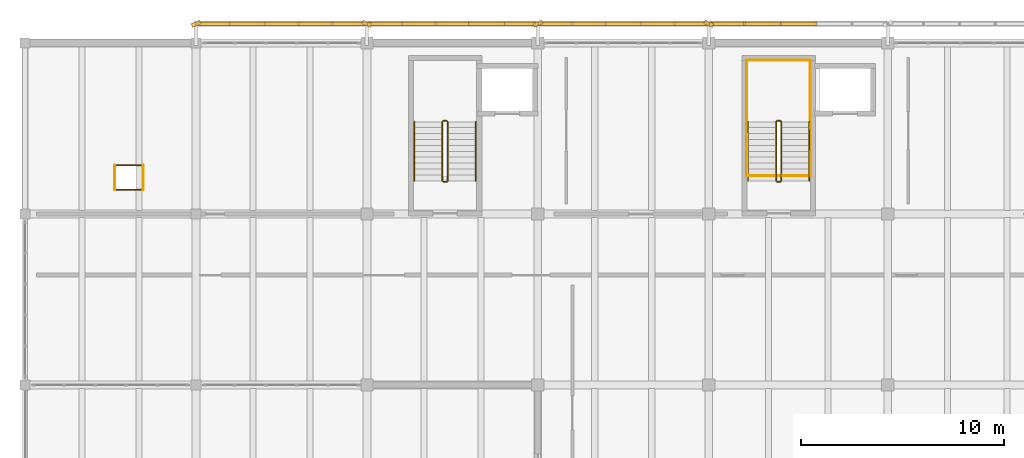
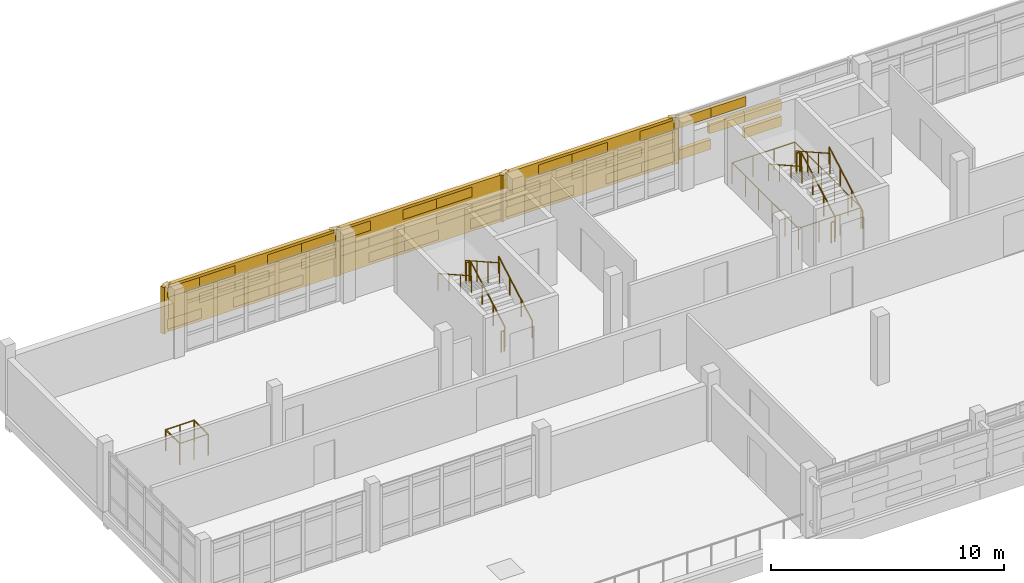
# One storey, part 48 of 50: 40 coverings, 20 railings, 3 shading devices.
"""IFC4 building model written with IfcOpenShell, lengths in metres."""

from ifc_helpers import new_model, si_unit, direction, frame, origin, origin_2d, place, context, subcontext, project, spatial, rectangle, circle, extrude, material, layer, layer_set, type_object, element, save


model = new_model("IFC4")

# Units and contexts
model_context = context("Model", 3, precision=1e-05, world=origin(), true_north=direction((0.0, 1.0)))
body_context = subcontext(model_context, "Body", "Model", "MODEL_VIEW")
ifc_project = project(units=[si_unit("LENGTHUNIT", "METRE"), si_unit("AREAUNIT", "SQUARE_METRE"), si_unit("VOLUMEUNIT", "CUBIC_METRE"), si_unit("PLANEANGLEUNIT", "RADIAN"), si_unit("MASSUNIT", "GRAM", prefix="KILO")], contexts=[model_context])

# Site, building, storey
site_placement = place(None, origin())
site = spatial("IfcSite", under=ifc_project, at=site_placement, CompositionType="ELEMENT")
building_placement = place(site_placement, origin())
building = spatial("IfcBuilding", under=site, at=building_placement, Name="Cinderway Yard Community Centre", CompositionType="ELEMENT")
storey_placement = place(building_placement, frame((0.0, 0.0, 12.89990234375)))
storey = spatial("IfcBuildingStorey", under=building, at=storey_placement, Name="L03", CompositionType="ELEMENT", Elevation=12.89990234375)

# Coverings
ifc_material_1 = material(Name="Brick Masonry", Category="masonry")
ifc_layer = layer(ifc_material_1, 0.18994140625, Name="Brick Masonry")
ifc_layer_set = layer_set([ifc_layer], Name="Brick Masonry")
covering_type = type_object("IfcCoveringType", Name="ENV-COV-BRK-SCREEN", PredefinedType="CLADDING", material=ifc_layer_set)
for number, where, z_axis, x_axis, name in (
    (1, (50.0, 116.14990234375, 0.64990234375), (0.0, 0.0, 1.0), (0.913545457643, 0.406736643076, 0.0), "Deconstructivist folded brick fin 0256"),
    (2, (58.39990234375, 116.14990234375, 0.64990234375), (0.0, 0.0, 1.0), (0.913545457643, -0.406736643076, 0.0), "Deconstructivist folded brick fin 0257"),
    (3, (66.800048828125, 116.14990234375, 0.64990234375), (0.0, 0.0, 1.0), (0.913545457643, 0.406736643076, 0.0), "Deconstructivist folded brick fin 0258"),
    (4, (75.199951171875, 116.14990234375, 0.64990234375), (0.0, 0.0, 1.0), (0.913545457643, -0.406736643076, 0.0), "Deconstructivist folded brick fin 0259"),
):
    element("IfcCovering", number, at=place(storey_placement, frame(where, z_axis=z_axis, x_axis=x_axis)), inside=storey, type_object=covering_type, Name=name, PredefinedType="CLADDING", context=body_context, shape_type="SweptSolid", body=[
        extrude(rectangle(XDim=0.4599609375, YDim=0.199951171875, at=origin_2d()), origin(), (0.0, 0.0, 1.0), 2.449951171875),
    ])
for number, where, z_axis, x_axis, name in (
    (5, (50.840087890625, 116.14990234375, 0.7900390625), (0.0, 0.0, 1.0), (1.0, 0.0, 0.0), "Open-bond perforated brick screen course 00266"),
    (6, (54.199951171875, 116.14990234375, 0.7900390625), (0.0, 0.0, 1.0), (1.0, 0.0, 0.0), "Open-bond perforated brick screen course 00267"),
    (7, (55.8798828125, 116.14990234375, 0.7900390625), (0.0, 0.0, 1.0), (1.0, 0.0, 0.0), "Open-bond perforated brick screen course 00268"),
    (8, (52.52001953125, 116.14990234375, 1.62109375), (0.0, 0.0, 1.0), (1.0, 0.0, 0.0), "Open-bond perforated brick screen course 00269"),
    (9, (54.199951171875, 116.14990234375, 1.62109375), (0.0, 0.0, 1.0), (1.0, 0.0, 0.0), "Open-bond perforated brick screen course 00270"),
    (10, (57.56005859375, 116.14990234375, 1.62109375), (0.0, 0.0, 1.0), (1.0, 0.0, 0.0), "Open-bond perforated brick screen course 00271"),
    (11, (50.840087890625, 116.14990234375, 2.4521484375), (0.0, 0.0, 1.0), (1.0, 0.0, 0.0), "Open-bond perforated brick screen course 00272"),
    (12, (52.52001953125, 116.14990234375, 2.4521484375), (0.0, 0.0, 1.0), (1.0, 0.0, 0.0), "Open-bond perforated brick screen course 00273"),
    (13, (55.8798828125, 116.14990234375, 2.4521484375), (0.0, 0.0, 1.0), (1.0, 0.0, 0.0), "Open-bond perforated brick screen course 00274"),
    (14, (57.56005859375, 116.14990234375, 2.4521484375), (0.0, 0.0, 1.0), (1.0, 0.0, 0.0), "Open-bond perforated brick screen course 00275"),
    (15, (60.919921875, 116.14990234375, 0.7900390625), (0.0, 0.0, 1.0), (1.0, 0.0, 0.0), "Open-bond perforated brick screen course 00276"),
    (16, (62.60009765625, 116.14990234375, 0.7900390625), (0.0, 0.0, 1.0), (1.0, 0.0, 0.0), "Open-bond perforated brick screen course 00277"),
    (17, (65.9599609375, 116.14990234375, 0.7900390625), (0.0, 0.0, 1.0), (1.0, 0.0, 0.0), "Open-bond perforated brick screen course 00278"),
    (18, (59.239990234375, 116.14990234375, 1.62109375), (0.0, 0.0, 1.0), (1.0, 0.0, 0.0), "Open-bond perforated brick screen course 00279"),
    (19, (60.919921875, 116.14990234375, 1.62109375), (0.0, 0.0, 1.0), (1.0, 0.0, 0.0), "Open-bond perforated brick screen course 00280"),
    (20, (64.280029296875, 116.14990234375, 1.62109375), (0.0, 0.0, 1.0), (1.0, 0.0, 0.0), "Open-bond perforated brick screen course 00281"),
    (21, (65.9599609375, 116.14990234375, 1.62109375), (0.0, 0.0, 1.0), (1.0, 0.0, 0.0), "Open-bond perforated brick screen course 00282"),
    (22, (59.239990234375, 116.14990234375, 2.4521484375), (0.0, 0.0, 1.0), (1.0, 0.0, 0.0), "Open-bond perforated brick screen course 00283"),
    (23, (62.60009765625, 116.14990234375, 2.4521484375), (0.0, 0.0, 1.0), (1.0, 0.0, 0.0), "Open-bond perforated brick screen course 00284"),
    (24, (64.280029296875, 116.14990234375, 2.4521484375), (0.0, 0.0, 1.0), (1.0, 0.0, 0.0), "Open-bond perforated brick screen course 00285"),
    (25, (67.639892578125, 116.14990234375, 0.7900390625), (0.0, 0.0, 1.0), (1.0, 0.0, 0.0), "Open-bond perforated brick screen course 00286"),
    (26, (69.320068359375, 116.14990234375, 0.7900390625), (0.0, 0.0, 1.0), (1.0, 0.0, 0.0), "Open-bond perforated brick screen course 00287"),
    (27, (72.679931640625, 116.14990234375, 0.7900390625), (0.0, 0.0, 1.0), (1.0, 0.0, 0.0), "Open-bond perforated brick screen course 00288"),
    (28, (74.360107421875, 116.14990234375, 0.7900390625), (0.0, 0.0, 1.0), (1.0, 0.0, 0.0), "Open-bond perforated brick screen course 00289"),
    (29, (67.639892578125, 116.14990234375, 1.62109375), (0.0, 0.0, 1.0), (1.0, 0.0, 0.0), "Open-bond perforated brick screen course 00290"),
    (30, (71.0, 116.14990234375, 1.62109375), (0.0, 0.0, 1.0), (1.0, 0.0, 0.0), "Open-bond perforated brick screen course 00291"),
    (31, (72.679931640625, 116.14990234375, 1.62109375), (0.0, 0.0, 1.0), (1.0, 0.0, 0.0), "Open-bond perforated brick screen course 00292"),
    (32, (69.320068359375, 116.14990234375, 2.4521484375), (0.0, 0.0, 1.0), (1.0, 0.0, 0.0), "Open-bond perforated brick screen course 00293"),
    (33, (71.0, 116.14990234375, 2.4521484375), (0.0, 0.0, 1.0), (1.0, 0.0, 0.0), "Open-bond perforated brick screen course 00294"),
    (34, (74.360107421875, 116.14990234375, 2.4521484375), (0.0, 0.0, 1.0), (1.0, 0.0, 0.0), "Open-bond perforated brick screen course 00295"),
):
    element("IfcCovering", number, at=place(storey_placement, frame(where, z_axis=z_axis, x_axis=x_axis)), inside=storey, type_object=covering_type, Name=name, PredefinedType="CLADDING", context=body_context, shape_type="SweptSolid", body=[
        extrude(rectangle(XDim=1.760009765625, YDim=0.18994140625, at=origin_2d()), origin(), (0.0, 0.0, 1.0), 0.508056640625),
    ])
for number, where, z_axis, x_axis, name in (
    (35, (76.080078125, 116.14990234375, 0.7900390625), (0.0, 0.0, 1.0), (1.0, 0.0, 0.0), "Open-bond perforated brick screen course 00296"),
    (36, (79.60009765625, 116.14990234375, 0.7900390625), (0.0, 0.0, 1.0), (1.0, 0.0, 0.0), "Open-bond perforated brick screen course 00297"),
    (37, (77.840087890625, 116.14990234375, 1.62109375), (0.0, 0.0, 1.0), (1.0, 0.0, 0.0), "Open-bond perforated brick screen course 00299"),
    (38, (79.60009765625, 116.14990234375, 1.62109375), (0.0, 0.0, 1.0), (1.0, 0.0, 0.0), "Open-bond perforated brick screen course 00300"),
    (39, (76.080078125, 116.14990234375, 2.4521484375), (0.0, 0.0, 1.0), (1.0, 0.0, 0.0), "Open-bond perforated brick screen course 00302"),
    (40, (77.840087890625, 116.14990234375, 2.4521484375), (0.0, 0.0, 1.0), (1.0, 0.0, 0.0), "Open-bond perforated brick screen course 00303"),
):
    element("IfcCovering", number, at=place(storey_placement, frame(where, z_axis=z_axis, x_axis=x_axis)), inside=storey, type_object=covering_type, Name=name, PredefinedType="CLADDING", context=body_context, shape_type="SweptSolid", body=[
        extrude(rectangle(XDim=1.840087890625, YDim=0.18994140625, at=origin_2d()), origin(), (0.0, 0.0, 1.0), 0.508056640625),
    ])

# Shading devices
shading_device_type = type_object("IfcShadingDeviceType", Name="ENV-SHD-BRICKSCREEN-A", PredefinedType="USERDEFINED", material=ifc_material_1)
for number, where, z_axis, x_axis, name in (
    (41, (54.199951171875, 116.14990234375, 0.64990234375), (0.0, 0.0, 1.0), (1.0, 0.0, 0.0), "Street Perforated Brick Screen 0195"),
    (42, (62.60009765625, 116.14990234375, 0.64990234375), (0.0, 0.0, 1.0), (1.0, 0.0, 0.0), "Street Perforated Brick Screen 0203"),
    (43, (71.0, 116.14990234375, 0.64990234375), (0.0, 0.0, 1.0), (1.0, 0.0, 0.0), "Street Perforated Brick Screen 0211"),
):
    element("IfcShadingDevice", number, at=place(storey_placement, frame(where, z_axis=z_axis, x_axis=x_axis)), inside=storey, type_object=shading_device_type, Name=name, ObjectType="PERFORATED BRICK SCREEN", PredefinedType="USERDEFINED", context=body_context, shape_type="SweptSolid", body=[
        extrude(rectangle(XDim=8.199951171875, YDim=0.18994140625, at=origin_2d()), origin(), (0.0, 0.0, 1.0), 2.449951171875),
    ])

# Railings
ifc_material_2 = material(Name="Painted Galvanised Steel", Category="steel")
railing_type_1 = type_object("IfcRailingType", Name="INT-RAL-GRD112", PredefinedType="GUARDRAIL", material=ifc_material_2)
railing_1_placement = place(storey_placement, frame((62.3701171875, 108.429931640625, 0.163818359375)))
element("IfcRailing", 44, at=railing_1_placement, inside=storey, type_object=railing_type_1, Name="L03 ST-01 stair guard 1", PredefinedType="GUARDRAIL", context=body_context, shape_type="SweptSolid", body=[
    extrude(circle(Radius=0.02392578125, at=origin_2d()), frame((0.0, 0.0, 1.076171875), z_axis=(0.0, 0.870946286338, 0.49137823142), x_axis=(-1.0, 0.0, 0.0)), (0.0, 0.0, 1.0), 3.329833984375),
    extrude(circle(Radius=0.02099609375, at=origin_2d()), origin(), (0.0, 0.0, 1.0), 1.052001953125),
    extrude(circle(Radius=0.02099609375, at=origin_2d()), frame((0.0, 0.966796875, 0.54541015625)), (0.0, 0.0, 1.0), 1.052001953125),
    extrude(circle(Radius=0.02099609375, at=origin_2d()), frame((0.0, 1.933349609375, 1.0908203125)), (0.0, 0.0, 1.0), 1.052001953125),
    extrude(circle(Radius=0.02099609375, at=origin_2d()), frame((0.0, 2.900146484375, 1.63623046875)), (0.0, 0.0, 1.0), 1.052001953125),
])
railing_2_placement = place(storey_placement, frame((62.320068359375, 111.3798828125, 1.800048828125)))
element("IfcRailing", 45, at=railing_2_placement, inside=storey, type_object=railing_type_1, Name="L03 ST-01 stair guard 2", PredefinedType="GUARDRAIL", context=body_context, shape_type="SweptSolid", body=[
    extrude(circle(Radius=0.02392578125, at=origin_2d()), frame((0.0, 0.0, 1.076171875), z_axis=(-1.0, 0.0, 0.0), x_axis=(0.0, -1.0, 0.0)), (0.0, 0.0, 1.0), 0.16015625),
    extrude(circle(Radius=0.02099609375, at=origin_2d()), origin(), (0.0, 0.0, 1.0), 1.052001953125),
    extrude(circle(Radius=0.02099609375, at=origin_2d()), frame((-0.16015625, 0.0, 0.0)), (0.0, 0.0, 1.0), 1.052001953125),
])
railing_3_placement = place(storey_placement, frame((62.110107421875, 111.330078125, 1.963623046875)))
element("IfcRailing", 46, at=railing_3_placement, inside=storey, type_object=railing_type_1, Name="L03 ST-01 stair guard 3", PredefinedType="GUARDRAIL", context=body_context, shape_type="SweptSolid", body=[
    extrude(circle(Radius=0.02392578125, at=origin_2d()), frame((0.0, 0.0, 1.076171875), z_axis=(0.0, -0.870914908162, 0.491433843708), x_axis=(1.0, 0.0, 0.0)), (0.0, 0.0, 1.0), 3.330078125),
    extrude(circle(Radius=0.02099609375, at=origin_2d()), origin(), (0.0, 0.0, 1.0), 1.052001953125),
    extrude(circle(Radius=0.02099609375, at=origin_2d()), frame((0.0, -0.966796875, 0.54541015625)), (0.0, 0.0, 1.0), 1.052001953125),
    extrude(circle(Radius=0.02099609375, at=origin_2d()), frame((0.0, -1.933349609375, 1.091064453125)), (0.0, 0.0, 1.0), 1.052001953125),
    extrude(circle(Radius=0.02099609375, at=origin_2d()), frame((0.0, -2.900146484375, 1.636474609375)), (0.0, 0.0, 1.0), 1.052001953125),
])
railing_4_placement = place(storey_placement, frame((62.320068359375, 108.3798828125, 0.0)))
element("IfcRailing", 47, at=railing_4_placement, inside=storey, type_object=railing_type_1, Name="L03 ST-01 stair guard 4", PredefinedType="GUARDRAIL", context=body_context, shape_type="SweptSolid", body=[
    extrude(circle(Radius=0.02392578125, at=origin_2d()), frame((0.0, 0.0, 1.076171875), z_axis=(-1.0, 0.0, 0.0), x_axis=(0.0, -1.0, 0.0)), (0.0, 0.0, 1.0), 0.16015625),
    extrude(circle(Radius=0.02099609375, at=origin_2d()), origin(), (0.0, 0.0, 1.0), 1.052001953125),
    extrude(circle(Radius=0.02099609375, at=origin_2d()), frame((-0.16015625, 0.0, 0.0)), (0.0, 0.0, 1.0), 1.052001953125),
])
railing_5_placement = place(storey_placement, frame((78.77001953125, 108.429931640625, 0.163818359375)))
element("IfcRailing", 48, at=railing_5_placement, inside=storey, type_object=railing_type_1, Name="L03 ST-02 stair guard 1", PredefinedType="GUARDRAIL", context=body_context, shape_type="SweptSolid", body=[
    extrude(circle(Radius=0.02392578125, at=origin_2d()), frame((0.0, 0.0, 1.076171875), z_axis=(0.0, 0.870946286338, 0.49137823142), x_axis=(-1.0, 0.0, 0.0)), (0.0, 0.0, 1.0), 3.329833984375),
    extrude(circle(Radius=0.02099609375, at=origin_2d()), origin(), (0.0, 0.0, 1.0), 1.052001953125),
    extrude(circle(Radius=0.02099609375, at=origin_2d()), frame((0.0, 0.966796875, 0.54541015625)), (0.0, 0.0, 1.0), 1.052001953125),
    extrude(circle(Radius=0.02099609375, at=origin_2d()), frame((0.0, 1.933349609375, 1.0908203125)), (0.0, 0.0, 1.0), 1.052001953125),
    extrude(circle(Radius=0.02099609375, at=origin_2d()), frame((0.0, 2.900146484375, 1.63623046875)), (0.0, 0.0, 1.0), 1.052001953125),
])
railing_6_placement = place(storey_placement, frame((78.719970703125, 111.3798828125, 1.800048828125)))
element("IfcRailing", 49, at=railing_6_placement, inside=storey, type_object=railing_type_1, Name="L03 ST-02 stair guard 2", PredefinedType="GUARDRAIL", context=body_context, shape_type="SweptSolid", body=[
    extrude(circle(Radius=0.02392578125, at=origin_2d()), frame((0.0, 0.0, 1.076171875), z_axis=(-1.0, 0.0, 0.0), x_axis=(0.0, -1.0, 0.0)), (0.0, 0.0, 1.0), 0.159912109375),
    extrude(circle(Radius=0.02099609375, at=origin_2d()), origin(), (0.0, 0.0, 1.0), 1.052001953125),
    extrude(circle(Radius=0.02099609375, at=origin_2d()), frame((-0.159912109375, 0.0, 0.0)), (0.0, 0.0, 1.0), 1.052001953125),
])
railing_7_placement = place(storey_placement, frame((78.510009765625, 111.330078125, 1.963623046875)))
element("IfcRailing", 50, at=railing_7_placement, inside=storey, type_object=railing_type_1, Name="L03 ST-02 stair guard 3", PredefinedType="GUARDRAIL", context=body_context, shape_type="SweptSolid", body=[
    extrude(circle(Radius=0.02392578125, at=origin_2d()), frame((0.0, 0.0, 1.076171875), z_axis=(0.0, -0.870914908162, 0.491433843708), x_axis=(1.0, 0.0, 0.0)), (0.0, 0.0, 1.0), 3.330078125),
    extrude(circle(Radius=0.02099609375, at=origin_2d()), origin(), (0.0, 0.0, 1.0), 1.052001953125),
    extrude(circle(Radius=0.02099609375, at=origin_2d()), frame((0.0, -0.966796875, 0.54541015625)), (0.0, 0.0, 1.0), 1.052001953125),
    extrude(circle(Radius=0.02099609375, at=origin_2d()), frame((0.0, -1.933349609375, 1.091064453125)), (0.0, 0.0, 1.0), 1.052001953125),
    extrude(circle(Radius=0.02099609375, at=origin_2d()), frame((0.0, -2.900146484375, 1.636474609375)), (0.0, 0.0, 1.0), 1.052001953125),
])
railing_8_placement = place(storey_placement, frame((78.719970703125, 108.3798828125, 0.0)))
element("IfcRailing", 51, at=railing_8_placement, inside=storey, type_object=railing_type_1, Name="L03 ST-02 stair guard 4", PredefinedType="GUARDRAIL", context=body_context, shape_type="SweptSolid", body=[
    extrude(circle(Radius=0.02392578125, at=origin_2d()), frame((0.0, 0.0, 1.076171875), z_axis=(-1.0, 0.0, 0.0), x_axis=(0.0, -1.0, 0.0)), (0.0, 0.0, 1.0), 0.159912109375),
    extrude(circle(Radius=0.02099609375, at=origin_2d()), origin(), (0.0, 0.0, 1.0), 1.052001953125),
    extrude(circle(Radius=0.02099609375, at=origin_2d()), frame((-0.159912109375, 0.0, 0.0)), (0.0, 0.0, 1.0), 1.052001953125),
])
railing_9_placement = place(storey_placement, frame((80.199951171875, 108.669921875, 0.0)))
element("IfcRailing", 52, at=railing_9_placement, inside=storey, type_object=railing_type_1, Name="Service void perimeter guard L03 175", PredefinedType="GUARDRAIL", context=body_context, shape_type="SweptSolid", body=[
    extrude(circle(Radius=0.02392578125, at=origin_2d()), frame((0.0, 0.0, 1.09619140625), z_axis=(0.0, 1.0, 0.0), x_axis=(-1.0, 0.0, 0.0)), (0.0, 0.0, 1.0), 5.68017578125),
    extrude(circle(Radius=0.02099609375, at=origin_2d()), origin(), (0.0, 0.0, 1.0), 1.072021484375),
    extrude(circle(Radius=0.02099609375, at=origin_2d()), frame((0.0, 1.135986328125, 0.0)), (0.0, 0.0, 1.0), 1.072021484375),
    extrude(circle(Radius=0.02099609375, at=origin_2d()), frame((0.0, 2.27197265625, 0.0)), (0.0, 0.0, 1.0), 1.072021484375),
    extrude(circle(Radius=0.02099609375, at=origin_2d()), frame((0.0, 3.408203125, 0.0)), (0.0, 0.0, 1.0), 1.072021484375),
    extrude(circle(Radius=0.02099609375, at=origin_2d()), frame((0.0, 4.544189453125, 0.0)), (0.0, 0.0, 1.0), 1.072021484375),
    extrude(circle(Radius=0.02099609375, at=origin_2d()), frame((0.0, 5.68017578125, 0.0)), (0.0, 0.0, 1.0), 1.072021484375),
])
railing_10_placement = place(storey_placement, frame((80.199951171875, 114.35009765625, 0.0)))
element("IfcRailing", 53, at=railing_10_placement, inside=storey, type_object=railing_type_1, Name="Service void perimeter guard L03 176", PredefinedType="GUARDRAIL", context=body_context, shape_type="SweptSolid", body=[
    extrude(circle(Radius=0.02392578125, at=origin_2d()), frame((0.0, 0.0, 1.09619140625), z_axis=(-1.0, 0.0, 0.0), x_axis=(0.0, -1.0, 0.0)), (0.0, 0.0, 1.0), 3.119873046875),
    extrude(circle(Radius=0.02099609375, at=origin_2d()), origin(), (0.0, 0.0, 1.0), 1.072021484375),
    extrude(circle(Radius=0.02099609375, at=origin_2d()), frame((-1.0400390625, 0.0, 0.0)), (0.0, 0.0, 1.0), 1.072021484375),
    extrude(circle(Radius=0.02099609375, at=origin_2d()), frame((-2.079833984375, 0.0, 0.0)), (0.0, 0.0, 1.0), 1.072021484375),
    extrude(circle(Radius=0.02099609375, at=origin_2d()), frame((-3.119873046875, 0.0, 0.0)), (0.0, 0.0, 1.0), 1.072021484375),
])
railing_11_placement = place(storey_placement, frame((77.080078125, 114.35009765625, 0.0)))
element("IfcRailing", 54, at=railing_11_placement, inside=storey, type_object=railing_type_1, Name="Service void perimeter guard L03 177", PredefinedType="GUARDRAIL", context=body_context, shape_type="SweptSolid", body=[
    extrude(circle(Radius=0.02392578125, at=origin_2d()), frame((0.0, 0.0, 1.09619140625), z_axis=(0.0, -1.0, 0.0), x_axis=(1.0, 0.0, 0.0)), (0.0, 0.0, 1.0), 5.68017578125),
    extrude(circle(Radius=0.02099609375, at=origin_2d()), origin(), (0.0, 0.0, 1.0), 1.072021484375),
    extrude(circle(Radius=0.02099609375, at=origin_2d()), frame((0.0, -1.135986328125, 0.0)), (0.0, 0.0, 1.0), 1.072021484375),
    extrude(circle(Radius=0.02099609375, at=origin_2d()), frame((0.0, -2.27197265625, 0.0)), (0.0, 0.0, 1.0), 1.072021484375),
    extrude(circle(Radius=0.02099609375, at=origin_2d()), frame((0.0, -3.408203125, 0.0)), (0.0, 0.0, 1.0), 1.072021484375),
    extrude(circle(Radius=0.02099609375, at=origin_2d()), frame((0.0, -4.544189453125, 0.0)), (0.0, 0.0, 1.0), 1.072021484375),
    extrude(circle(Radius=0.02099609375, at=origin_2d()), frame((0.0, -5.68017578125, 0.0)), (0.0, 0.0, 1.0), 1.072021484375),
])
railing_12_placement = place(storey_placement, frame((77.080078125, 108.669921875, 0.0)))
element("IfcRailing", 55, at=railing_12_placement, inside=storey, type_object=railing_type_1, Name="Service void perimeter guard L03 178", PredefinedType="GUARDRAIL", context=body_context, shape_type="SweptSolid", body=[
    extrude(circle(Radius=0.02392578125, at=origin_2d()), frame((0.0, 0.0, 1.09619140625), z_axis=(1.0, 0.0, 0.0), x_axis=(0.0, 1.0, 0.0)), (0.0, 0.0, 1.0), 3.119873046875),
    extrude(circle(Radius=0.02099609375, at=origin_2d()), origin(), (0.0, 0.0, 1.0), 1.072021484375),
    extrude(circle(Radius=0.02099609375, at=origin_2d()), frame((1.0400390625, 0.0, 0.0)), (0.0, 0.0, 1.0), 1.072021484375),
    extrude(circle(Radius=0.02099609375, at=origin_2d()), frame((2.079833984375, 0.0, 0.0)), (0.0, 0.0, 1.0), 1.072021484375),
    extrude(circle(Radius=0.02099609375, at=origin_2d()), frame((3.119873046875, 0.0, 0.0)), (0.0, 0.0, 1.0), 1.072021484375),
])
railing_13_placement = place(storey_placement, frame((46.0, 108.0, 0.0)))
element("IfcRailing", 56, at=railing_13_placement, inside=storey, type_object=railing_type_1, Name="Service void perimeter guard L03 179", PredefinedType="GUARDRAIL", context=body_context, shape_type="SweptSolid", body=[
    extrude(circle(Radius=0.02392578125, at=origin_2d()), frame((0.0, 0.0, 1.09619140625), z_axis=(1.0, 0.0, 0.0), x_axis=(0.0, 1.0, 0.0)), (0.0, 0.0, 1.0), 1.39990234375),
    extrude(circle(Radius=0.02099609375, at=origin_2d()), origin(), (0.0, 0.0, 1.0), 1.072021484375),
    extrude(circle(Radius=0.02099609375, at=origin_2d()), frame((0.699951171875, 0.0, 0.0)), (0.0, 0.0, 1.0), 1.072021484375),
    extrude(circle(Radius=0.02099609375, at=origin_2d()), frame((1.39990234375, 0.0, 0.0)), (0.0, 0.0, 1.0), 1.072021484375),
])
railing_14_placement = place(storey_placement, frame((47.39990234375, 108.0, 0.0)))
element("IfcRailing", 57, at=railing_14_placement, inside=storey, type_object=railing_type_1, Name="Service void perimeter guard L03 180", PredefinedType="GUARDRAIL", context=body_context, shape_type="SweptSolid", body=[
    extrude(circle(Radius=0.02392578125, at=origin_2d()), frame((0.0, 0.0, 1.09619140625), z_axis=(0.0, 1.0, 0.0), x_axis=(-1.0, 0.0, 0.0)), (0.0, 0.0, 1.0), 1.199951171875),
    extrude(circle(Radius=0.02099609375, at=origin_2d()), origin(), (0.0, 0.0, 1.0), 1.072021484375),
    extrude(circle(Radius=0.02099609375, at=origin_2d()), frame((0.0, 1.199951171875, 0.0)), (0.0, 0.0, 1.0), 1.072021484375),
])
railing_15_placement = place(storey_placement, frame((47.39990234375, 109.199951171875, 0.0)))
element("IfcRailing", 58, at=railing_15_placement, inside=storey, type_object=railing_type_1, Name="Service void perimeter guard L03 181", PredefinedType="GUARDRAIL", context=body_context, shape_type="SweptSolid", body=[
    extrude(circle(Radius=0.02392578125, at=origin_2d()), frame((0.0, 0.0, 1.09619140625), z_axis=(-1.0, 0.0, 0.0), x_axis=(0.0, -1.0, 0.0)), (0.0, 0.0, 1.0), 1.39990234375),
    extrude(circle(Radius=0.02099609375, at=origin_2d()), origin(), (0.0, 0.0, 1.0), 1.072021484375),
    extrude(circle(Radius=0.02099609375, at=origin_2d()), frame((-0.699951171875, 0.0, 0.0)), (0.0, 0.0, 1.0), 1.072021484375),
    extrude(circle(Radius=0.02099609375, at=origin_2d()), frame((-1.39990234375, 0.0, 0.0)), (0.0, 0.0, 1.0), 1.072021484375),
])
railing_16_placement = place(storey_placement, frame((46.0, 109.199951171875, 0.0)))
element("IfcRailing", 59, at=railing_16_placement, inside=storey, type_object=railing_type_1, Name="Service void perimeter guard L03 182", PredefinedType="GUARDRAIL", context=body_context, shape_type="SweptSolid", body=[
    extrude(circle(Radius=0.02392578125, at=origin_2d()), frame((0.0, 0.0, 1.09619140625), z_axis=(0.0, -1.0, 0.0), x_axis=(1.0, 0.0, 0.0)), (0.0, 0.0, 1.0), 1.199951171875),
    extrude(circle(Radius=0.02099609375, at=origin_2d()), origin(), (0.0, 0.0, 1.0), 1.072021484375),
    extrude(circle(Radius=0.02099609375, at=origin_2d()), frame((0.0, -1.199951171875, 0.0)), (0.0, 0.0, 1.0), 1.072021484375),
])
railing_type_2 = type_object("IfcRailingType", Name="INT-RAL-HND090", PredefinedType="HANDRAIL", material=ifc_material_2)
railing_17_placement = place(storey_placement, frame((63.75, 108.429931640625, 0.163818359375)))
element("IfcRailing", 60, at=railing_17_placement, inside=storey, type_object=railing_type_2, Name="L03 ST-01 stair handrail 1", PredefinedType="HANDRAIL", context=body_context, shape_type="SweptSolid", body=[
    extrude(circle(Radius=0.02392578125, at=origin_2d()), frame((0.0, 0.0, 0.8759765625), z_axis=(0.0, 0.870946286338, 0.49137823142), x_axis=(-1.0, 0.0, 0.0)), (0.0, 0.0, 1.0), 3.329833984375),
    extrude(circle(Radius=0.02099609375, at=origin_2d()), origin(), (0.0, 0.0, 1.0), 0.851806640625),
    extrude(circle(Radius=0.02099609375, at=origin_2d()), frame((0.0, 0.966796875, 0.54541015625)), (0.0, 0.0, 1.0), 0.851806640625),
    extrude(circle(Radius=0.02099609375, at=origin_2d()), frame((0.0, 1.933349609375, 1.0908203125)), (0.0, 0.0, 1.0), 0.851806640625),
    extrude(circle(Radius=0.02099609375, at=origin_2d()), frame((0.0, 2.900146484375, 1.63623046875)), (0.0, 0.0, 1.0), 0.851806640625),
])
railing_18_placement = place(storey_placement, frame((60.72998046875, 111.330078125, 1.963623046875)))
element("IfcRailing", 61, at=railing_18_placement, inside=storey, type_object=railing_type_2, Name="L03 ST-01 stair handrail 2", PredefinedType="HANDRAIL", context=body_context, shape_type="SweptSolid", body=[
    extrude(circle(Radius=0.02392578125, at=origin_2d()), frame((0.0, 0.0, 0.8759765625), z_axis=(0.0, -0.870914908162, 0.491433843708), x_axis=(1.0, 0.0, 0.0)), (0.0, 0.0, 1.0), 3.330078125),
    extrude(circle(Radius=0.02099609375, at=origin_2d()), origin(), (0.0, 0.0, 1.0), 0.851806640625),
    extrude(circle(Radius=0.02099609375, at=origin_2d()), frame((0.0, -0.966796875, 0.54541015625)), (0.0, 0.0, 1.0), 0.851806640625),
    extrude(circle(Radius=0.02099609375, at=origin_2d()), frame((0.0, -1.933349609375, 1.091064453125)), (0.0, 0.0, 1.0), 0.851806640625),
    extrude(circle(Radius=0.02099609375, at=origin_2d()), frame((0.0, -2.900146484375, 1.636474609375)), (0.0, 0.0, 1.0), 0.851806640625),
])
railing_19_placement = place(storey_placement, frame((80.14990234375, 108.429931640625, 0.163818359375)))
element("IfcRailing", 62, at=railing_19_placement, inside=storey, type_object=railing_type_2, Name="L03 ST-02 stair handrail 1", PredefinedType="HANDRAIL", context=body_context, shape_type="SweptSolid", body=[
    extrude(circle(Radius=0.02392578125, at=origin_2d()), frame((0.0, 0.0, 0.8759765625), z_axis=(0.0, 0.870946286338, 0.49137823142), x_axis=(-1.0, 0.0, 0.0)), (0.0, 0.0, 1.0), 3.329833984375),
    extrude(circle(Radius=0.02099609375, at=origin_2d()), origin(), (0.0, 0.0, 1.0), 0.851806640625),
    extrude(circle(Radius=0.02099609375, at=origin_2d()), frame((0.0, 0.966796875, 0.54541015625)), (0.0, 0.0, 1.0), 0.851806640625),
    extrude(circle(Radius=0.02099609375, at=origin_2d()), frame((0.0, 1.933349609375, 1.0908203125)), (0.0, 0.0, 1.0), 0.851806640625),
    extrude(circle(Radius=0.02099609375, at=origin_2d()), frame((0.0, 2.900146484375, 1.63623046875)), (0.0, 0.0, 1.0), 0.851806640625),
])
railing_20_placement = place(storey_placement, frame((77.1298828125, 111.330078125, 1.963623046875)))
element("IfcRailing", 63, at=railing_20_placement, inside=storey, type_object=railing_type_2, Name="L03 ST-02 stair handrail 2", PredefinedType="HANDRAIL", context=body_context, shape_type="SweptSolid", body=[
    extrude(circle(Radius=0.02392578125, at=origin_2d()), frame((0.0, 0.0, 0.8759765625), z_axis=(0.0, -0.870914908162, 0.491433843708), x_axis=(1.0, 0.0, 0.0)), (0.0, 0.0, 1.0), 3.330078125),
    extrude(circle(Radius=0.02099609375, at=origin_2d()), origin(), (0.0, 0.0, 1.0), 0.851806640625),
    extrude(circle(Radius=0.02099609375, at=origin_2d()), frame((0.0, -0.966796875, 0.54541015625)), (0.0, 0.0, 1.0), 0.851806640625),
    extrude(circle(Radius=0.02099609375, at=origin_2d()), frame((0.0, -1.933349609375, 1.091064453125)), (0.0, 0.0, 1.0), 0.851806640625),
    extrude(circle(Radius=0.02099609375, at=origin_2d()), frame((0.0, -2.900146484375, 1.636474609375)), (0.0, 0.0, 1.0), 0.851806640625),
])

save(model, "model.ifc")
